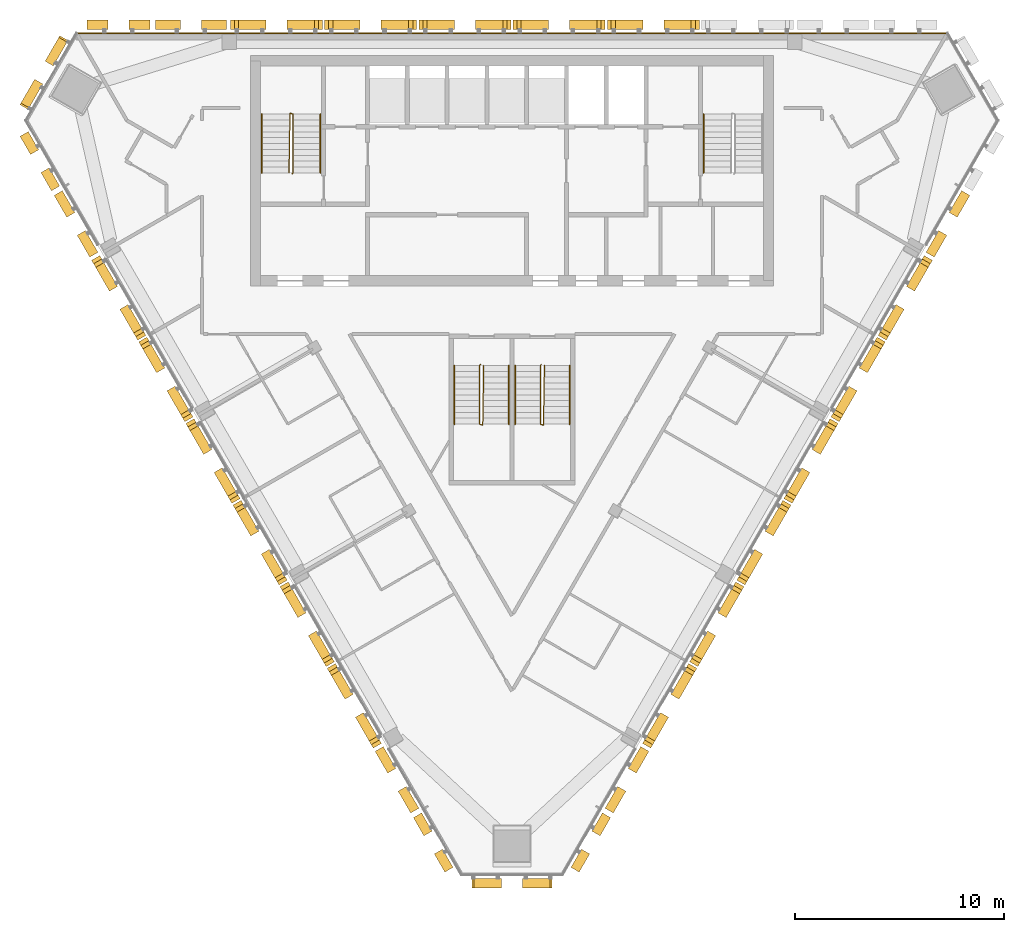
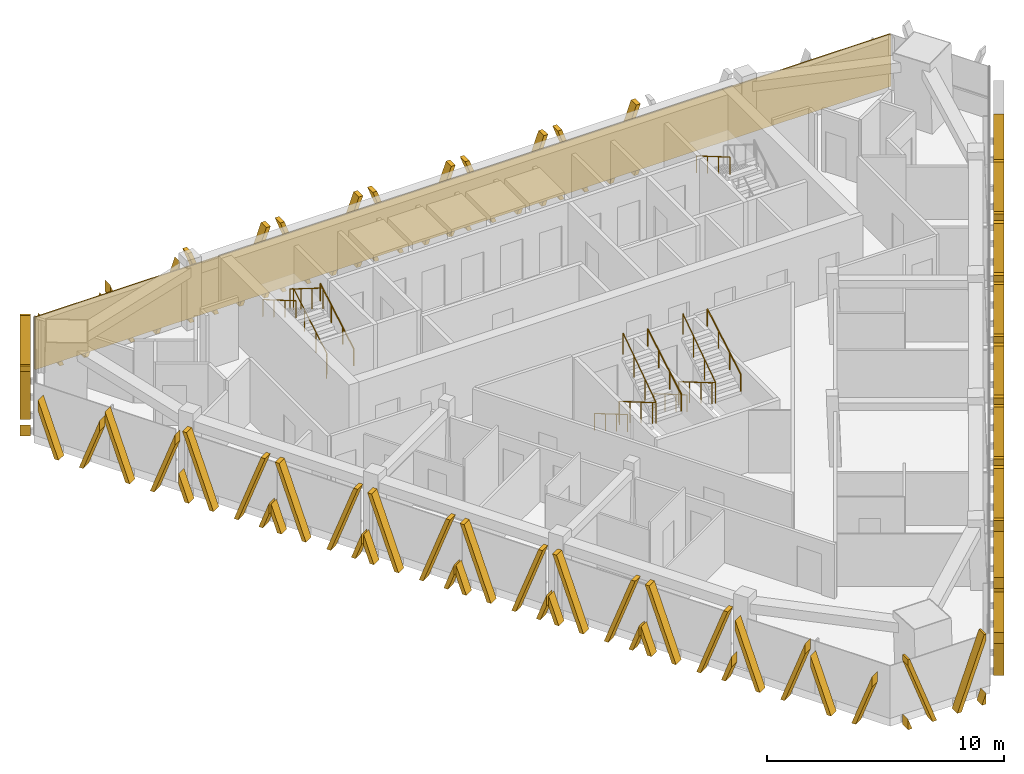
# One storey, part 12 of 14: 28 shading devices, 10 railings, 1 covering.
"""IFC4 building model written with IfcOpenShell, lengths in metres."""

from ifc_helpers import new_model, si_unit, direction, frame, frame_2d, origin, origin_2d, place, context, subcontext, project, spatial, polyline, rectangle, circle, outline, extrude, source, transform, mapped, material, layer, layer_set, type_object, element, save


model = new_model("IFC4")

# Units and contexts
model_context = context("Model", 3, precision=1e-05, world=origin(), true_north=direction((0.0, 1.0)))
body_context = subcontext(model_context, "Body", "Model", "MODEL_VIEW")
ifc_project = project(units=[si_unit("LENGTHUNIT", "METRE"), si_unit("AREAUNIT", "SQUARE_METRE"), si_unit("VOLUMEUNIT", "CUBIC_METRE"), si_unit("PLANEANGLEUNIT", "RADIAN"), si_unit("MASSUNIT", "GRAM", prefix="KILO")], contexts=[model_context])

# Site, building, storey
site_placement = place(None, origin())
site = spatial("IfcSite", under=ifc_project, at=site_placement, CompositionType="ELEMENT")
building_placement = place(site_placement, origin())
building = spatial("IfcBuilding", under=site, at=building_placement, Name="Altiplano Prism Tower", CompositionType="ELEMENT")
storey_placement = place(building_placement, frame((0.0, 0.0, 268.0)))
storey = spatial("IfcBuildingStorey", under=building, at=storey_placement, Name="L69", CompositionType="ELEMENT", Elevation=268.0)

# Railings
ifc_material_1 = material(Name="Steel S355", Category="steel")
railing_type_1 = type_object("IfcRailingType", Name="Stair guard 1100", PredefinedType="GUARDRAIL", material=ifc_material_1)
railing_1_placement = place(storey_placement, frame((74.5, 98.25, 0.0)))
element("IfcRailing", 1, at=railing_1_placement, inside=storey, type_object=railing_type_1, Name="L69 ST1 stair guard 1", PredefinedType="GUARDRAIL", context=body_context, shape_type="SweptSolid", body=[
    extrude(circle(Radius=0.02392578125, at=origin_2d()), frame((0.0, 0.0, 1.076171875), z_axis=(0.280808744504, 0.280808744504, 0.917765164963), x_axis=(-0.707106781187, 0.707106781187, 0.0)), (0.0, 0.0, 1.0), 0.17822265625),
    extrude(circle(Radius=0.02392578125, at=origin_2d()), frame((0.050048828125, 0.050048828125, 1.23974609375), z_axis=(0.0, 0.863360870873, 0.504586966384), x_axis=(-1.0, 0.0, 0.0)), (0.0, 0.0, 1.0), 3.2431640625),
    extrude(circle(Radius=0.02392578125, at=origin_2d()), frame((0.050048828125, 2.85009765625, 2.8759765625), z_axis=(-0.949145278916, 0.314838433982, 0.0), x_axis=(-0.314838433982, -0.949145278916, 0.0)), (0.0, 0.0, 1.0), 0.158203125),
    extrude(circle(Radius=0.02392578125, at=origin_2d()), frame((-0.10009765625, 2.89990234375, 2.8759765625), z_axis=(-0.01477401265, -0.845377694409, 0.533964682676), x_axis=(0.999847325713, -0.01747355902, 0.0)), (0.0, 0.0, 1.0), 3.37109375),
    extrude(circle(Radius=0.02099609375, at=origin_2d()), origin(), (0.0, 0.0, 1.0), 1.052001953125),
    extrude(circle(Radius=0.02099609375, at=origin_2d()), frame((0.050048828125, 0.050048828125, 0.16357421875)), (0.0, 0.0, 1.0), 1.052001953125),
    extrude(circle(Radius=0.02099609375, at=origin_2d()), frame((0.050048828125, 0.9833984375, 0.708984375)), (0.0, 0.0, 1.0), 1.052001953125),
    extrude(circle(Radius=0.02099609375, at=origin_2d()), frame((0.050048828125, 1.916748046875, 1.254638671875)), (0.0, 0.0, 1.0), 1.052001953125),
    extrude(circle(Radius=0.02099609375, at=origin_2d()), frame((0.050048828125, 2.85009765625, 1.800048828125)), (0.0, 0.0, 1.0), 1.052001953125),
    extrude(circle(Radius=0.02099609375, at=origin_2d()), frame((-0.10009765625, 2.89990234375, 1.800048828125)), (0.0, 0.0, 1.0), 1.052001953125),
    extrude(circle(Radius=0.02099609375, at=origin_2d()), frame((-0.11669921875, 1.949951171875, 2.400146484375)), (0.0, 0.0, 1.0), 1.052001953125),
    extrude(circle(Radius=0.02099609375, at=origin_2d()), frame((-0.13330078125, 1.0, 3.0)), (0.0, 0.0, 1.0), 1.052001953125),
    extrude(circle(Radius=0.02099609375, at=origin_2d()), frame((-0.14990234375, 0.050048828125, 3.60009765625)), (0.0, 0.0, 1.0), 1.052001953125),
])
railing_2_placement = place(storey_placement, frame((83.5, 89.14990234375, 0.0)))
element("IfcRailing", 2, at=railing_2_placement, inside=storey, type_object=railing_type_1, Name="L69 ST3A stair guard 1", PredefinedType="GUARDRAIL", context=body_context, shape_type="SweptSolid", body=[
    extrude(circle(Radius=0.02392578125, at=origin_2d()), frame((0.0, 0.0, 1.076171875), z_axis=(-0.280916556609, -0.279546231943, 0.91811752648), x_axis=(0.705375805398, -0.708833529934, 0.0)), (0.0, 0.0, 1.0), 0.17822265625),
    extrude(circle(Radius=0.02392578125, at=origin_2d()), frame((-0.050048828125, -0.0498046875, 1.23974609375), z_axis=(0.0, -0.863360870873, 0.504586966384), x_axis=(1.0, 0.0, 0.0)), (0.0, 0.0, 1.0), 3.2431640625),
    extrude(circle(Radius=0.02392578125, at=origin_2d()), frame((-0.050048828125, -2.849853515625, 2.8759765625), z_axis=(0.948683298051, -0.316227766017, 0.0), x_axis=(0.316227766017, 0.948683298051, 0.0)), (0.0, 0.0, 1.0), 0.158203125),
    extrude(circle(Radius=0.02392578125, at=origin_2d()), frame((0.10009765625, -2.89990234375, 2.8759765625), z_axis=(0.014773108175, 0.84539835705, 0.533931993021), x_axis=(-0.999847351862, 0.017472062685, 0.0)), (0.0, 0.0, 1.0), 3.371337890625),
    extrude(circle(Radius=0.02099609375, at=origin_2d()), origin(), (0.0, 0.0, 1.0), 1.052001953125),
    extrude(circle(Radius=0.02099609375, at=origin_2d()), frame((-0.050048828125, -0.0498046875, 0.16357421875)), (0.0, 0.0, 1.0), 1.052001953125),
    extrude(circle(Radius=0.02099609375, at=origin_2d()), frame((-0.050048828125, -0.983154296875, 0.708984375)), (0.0, 0.0, 1.0), 1.052001953125),
    extrude(circle(Radius=0.02099609375, at=origin_2d()), frame((-0.050048828125, -1.91650390625, 1.254638671875)), (0.0, 0.0, 1.0), 1.052001953125),
    extrude(circle(Radius=0.02099609375, at=origin_2d()), frame((-0.050048828125, -2.849853515625, 1.800048828125)), (0.0, 0.0, 1.0), 1.052001953125),
    extrude(circle(Radius=0.02099609375, at=origin_2d()), frame((0.10009765625, -2.89990234375, 1.800048828125)), (0.0, 0.0, 1.0), 1.052001953125),
    extrude(circle(Radius=0.02099609375, at=origin_2d()), frame((0.11669921875, -1.949951171875, 2.400146484375)), (0.0, 0.0, 1.0), 1.052001953125),
    extrude(circle(Radius=0.02099609375, at=origin_2d()), frame((0.13330078125, -0.999755859375, 3.0)), (0.0, 0.0, 1.0), 1.052001953125),
    extrude(circle(Radius=0.02099609375, at=origin_2d()), frame((0.14990234375, -0.0498046875, 3.60009765625)), (0.0, 0.0, 1.0), 1.052001953125),
])
railing_3_placement = place(storey_placement, frame((86.39990234375, 89.14990234375, 0.0)))
element("IfcRailing", 3, at=railing_3_placement, inside=storey, type_object=railing_type_1, Name="L69 ST3B stair guard 1", PredefinedType="GUARDRAIL", context=body_context, shape_type="SweptSolid", body=[
    extrude(circle(Radius=0.02392578125, at=origin_2d()), frame((0.0, 0.0, 1.076171875), z_axis=(-0.279653641804, -0.279653641804, 0.918470294159), x_axis=(0.707106781187, -0.707106781187, 0.0)), (0.0, 0.0, 1.0), 0.177978515625),
    extrude(circle(Radius=0.02392578125, at=origin_2d()), frame((-0.0498046875, -0.0498046875, 1.23974609375), z_axis=(0.0, -0.863360870873, 0.504586966384), x_axis=(1.0, 0.0, 0.0)), (0.0, 0.0, 1.0), 3.2431640625),
    extrude(circle(Radius=0.02392578125, at=origin_2d()), frame((-0.0498046875, -2.849853515625, 2.8759765625), z_axis=(0.948528701346, -0.316691178788, 0.0), x_axis=(0.316691178788, 0.948528701346, 0.0)), (0.0, 0.0, 1.0), 0.157958984375),
    extrude(circle(Radius=0.02392578125, at=origin_2d()), frame((0.10009765625, -2.89990234375, 2.8759765625), z_axis=(0.014845509451, 0.845397450405, 0.533931420407), x_axis=(-0.999845851991, 0.017557683712, 0.0)), (0.0, 0.0, 1.0), 3.371337890625),
    extrude(circle(Radius=0.02099609375, at=origin_2d()), origin(), (0.0, 0.0, 1.0), 1.052001953125),
    extrude(circle(Radius=0.02099609375, at=origin_2d()), frame((-0.0498046875, -0.0498046875, 0.16357421875)), (0.0, 0.0, 1.0), 1.052001953125),
    extrude(circle(Radius=0.02099609375, at=origin_2d()), frame((-0.0498046875, -0.983154296875, 0.708984375)), (0.0, 0.0, 1.0), 1.052001953125),
    extrude(circle(Radius=0.02099609375, at=origin_2d()), frame((-0.0498046875, -1.91650390625, 1.254638671875)), (0.0, 0.0, 1.0), 1.052001953125),
    extrude(circle(Radius=0.02099609375, at=origin_2d()), frame((-0.0498046875, -2.849853515625, 1.800048828125)), (0.0, 0.0, 1.0), 1.052001953125),
    extrude(circle(Radius=0.02099609375, at=origin_2d()), frame((0.10009765625, -2.89990234375, 1.800048828125)), (0.0, 0.0, 1.0), 1.052001953125),
    extrude(circle(Radius=0.02099609375, at=origin_2d()), frame((0.11669921875, -1.949951171875, 2.400146484375)), (0.0, 0.0, 1.0), 1.052001953125),
    extrude(circle(Radius=0.02099609375, at=origin_2d()), frame((0.133544921875, -0.999755859375, 3.0)), (0.0, 0.0, 1.0), 1.052001953125),
    extrude(circle(Radius=0.02099609375, at=origin_2d()), frame((0.150146484375, -0.0498046875, 3.60009765625)), (0.0, 0.0, 1.0), 1.052001953125),
])
railing_type_2 = type_object("IfcRailingType", Name="Stair handrail 900", PredefinedType="HANDRAIL", material=ifc_material_1)
railing_4_placement = place(storey_placement, frame((75.85009765625, 98.300048828125, 0.16357421875)))
element("IfcRailing", 4, at=railing_4_placement, inside=storey, type_object=railing_type_2, Name="L69 ST1 stair handrail 1", PredefinedType="HANDRAIL", context=body_context, shape_type="SweptSolid", body=[
    extrude(circle(Radius=0.02392578125, at=origin_2d()), frame((0.0, 0.0, 0.8759765625), z_axis=(0.0, 0.863360870873, 0.504586966384), x_axis=(-1.0, 0.0, 0.0)), (0.0, 0.0, 1.0), 3.2431640625),
    extrude(circle(Radius=0.02099609375, at=origin_2d()), origin(), (0.0, 0.0, 1.0), 0.851806640625),
    extrude(circle(Radius=0.02099609375, at=origin_2d()), frame((0.0, 0.933349609375, 0.54541015625)), (0.0, 0.0, 1.0), 0.851806640625),
    extrude(circle(Radius=0.02099609375, at=origin_2d()), frame((0.0, 1.86669921875, 1.091064453125)), (0.0, 0.0, 1.0), 0.851806640625),
    extrude(circle(Radius=0.02099609375, at=origin_2d()), frame((0.0, 2.800048828125, 1.636474609375)), (0.0, 0.0, 1.0), 0.851806640625),
])
for number, where, name in (
    (5, (73.050048828125, 101.10009765625, 1.963623046875), "L69 ST1 stair handrail 2"),
    (6, (94.14990234375, 101.10009765625, 1.963623046875), "L69 ST2 stair handrail 2"),
    (7, (82.25, 89.10009765625, 0.16357421875), "L69 ST3A stair handrail 1"),
):
    element("IfcRailing", number, at=place(storey_placement, frame(where)), inside=storey, type_object=railing_type_2, Name=name, PredefinedType="HANDRAIL", context=body_context, shape_type="SweptSolid", body=[
        extrude(circle(Radius=0.02392578125, at=origin_2d()), frame((0.0, 0.0, 0.8759765625), z_axis=(0.0, -0.863360870873, 0.504586966384), x_axis=(1.0, 0.0, 0.0)), (0.0, 0.0, 1.0), 3.2431640625),
        extrude(circle(Radius=0.02099609375, at=origin_2d()), origin(), (0.0, 0.0, 1.0), 0.851806640625),
        extrude(circle(Radius=0.02099609375, at=origin_2d()), frame((0.0, -0.933349609375, 0.54541015625)), (0.0, 0.0, 1.0), 0.851806640625),
        extrude(circle(Radius=0.02099609375, at=origin_2d()), frame((0.0, -1.86669921875, 1.091064453125)), (0.0, 0.0, 1.0), 0.851806640625),
        extrude(circle(Radius=0.02099609375, at=origin_2d()), frame((0.0, -2.800048828125, 1.636474609375)), (0.0, 0.0, 1.0), 0.851806640625),
    ])
railing_5_placement = place(storey_placement, frame((84.85009765625, 86.300048828125, 1.963623046875)))
element("IfcRailing", 8, at=railing_5_placement, inside=storey, type_object=railing_type_2, Name="L69 ST3A stair handrail 2", PredefinedType="HANDRAIL", context=body_context, shape_type="SweptSolid", body=[
    extrude(circle(Radius=0.02392578125, at=origin_2d()), frame((0.0, 0.0, 0.8759765625), z_axis=(0.0, 0.863360870873, 0.504586966384), x_axis=(-1.0, 0.0, 0.0)), (0.0, 0.0, 1.0), 3.2431640625),
    extrude(circle(Radius=0.02099609375, at=origin_2d()), origin(), (0.0, 0.0, 1.0), 0.851806640625),
    extrude(circle(Radius=0.02099609375, at=origin_2d()), frame((0.0, 0.933349609375, 0.54541015625)), (0.0, 0.0, 1.0), 0.851806640625),
    extrude(circle(Radius=0.02099609375, at=origin_2d()), frame((0.0, 1.86669921875, 1.091064453125)), (0.0, 0.0, 1.0), 0.851806640625),
    extrude(circle(Radius=0.02099609375, at=origin_2d()), frame((0.0, 2.800048828125, 1.636474609375)), (0.0, 0.0, 1.0), 0.851806640625),
])
railing_6_placement = place(storey_placement, frame((85.14990234375, 89.10009765625, 0.16357421875)))
element("IfcRailing", 9, at=railing_6_placement, inside=storey, type_object=railing_type_2, Name="L69 ST3B stair handrail 1", PredefinedType="HANDRAIL", context=body_context, shape_type="SweptSolid", body=[
    extrude(circle(Radius=0.02392578125, at=origin_2d()), frame((0.0, 0.0, 0.8759765625), z_axis=(0.0, -0.863360870873, 0.504586966384), x_axis=(1.0, 0.0, 0.0)), (0.0, 0.0, 1.0), 3.2431640625),
    extrude(circle(Radius=0.02099609375, at=origin_2d()), origin(), (0.0, 0.0, 1.0), 0.851806640625),
    extrude(circle(Radius=0.02099609375, at=origin_2d()), frame((0.0, -0.933349609375, 0.54541015625)), (0.0, 0.0, 1.0), 0.851806640625),
    extrude(circle(Radius=0.02099609375, at=origin_2d()), frame((0.0, -1.86669921875, 1.091064453125)), (0.0, 0.0, 1.0), 0.851806640625),
    extrude(circle(Radius=0.02099609375, at=origin_2d()), frame((0.0, -2.800048828125, 1.636474609375)), (0.0, 0.0, 1.0), 0.851806640625),
])
railing_7_placement = place(storey_placement, frame((87.75, 86.300048828125, 1.963623046875)))
element("IfcRailing", 10, at=railing_7_placement, inside=storey, type_object=railing_type_2, Name="L69 ST3B stair handrail 2", PredefinedType="HANDRAIL", context=body_context, shape_type="SweptSolid", body=[
    extrude(circle(Radius=0.02392578125, at=origin_2d()), frame((0.0, 0.0, 0.8759765625), z_axis=(0.0, 0.863360870873, 0.504586966384), x_axis=(-1.0, 0.0, 0.0)), (0.0, 0.0, 1.0), 3.2431640625),
    extrude(circle(Radius=0.02099609375, at=origin_2d()), origin(), (0.0, 0.0, 1.0), 0.851806640625),
    extrude(circle(Radius=0.02099609375, at=origin_2d()), frame((0.0, 0.933349609375, 0.54541015625)), (0.0, 0.0, 1.0), 0.851806640625),
    extrude(circle(Radius=0.02099609375, at=origin_2d()), frame((0.0, 1.86669921875, 1.091064453125)), (0.0, 0.0, 1.0), 0.851806640625),
    extrude(circle(Radius=0.02099609375, at=origin_2d()), frame((0.0, 2.800048828125, 1.636474609375)), (0.0, 0.0, 1.0), 0.851806640625),
])

# Covering
ifc_material_2 = material(Name="Warm limestone cast stone", Category="masonry")
ifc_layer = layer(ifc_material_2, 0.06005859375)
ifc_layer_set = layer_set([ifc_layer], Name="Warm limestone cast stone")
covering_type = type_object("IfcCoveringType", Name="Stone cladding 60", PredefinedType="CLADDING", material=ifc_layer_set)
covering_placement = place(storey_placement, frame((64.183837890625, 104.969970703125, 0.0), z_axis=(0.0, 0.0, 1.0), x_axis=(1.0, 0.0, 0.0)))
element("IfcCovering", 11, at=covering_placement, inside=storey, type_object=covering_type, Name="Stone cladding north face L69", PredefinedType="CLADDING", context=body_context, shape_type="SweptSolid", body=[
    extrude(rectangle(XDim=41.63232421875, YDim=0.06005859375, at=frame_2d((20.816162109375, 0.0))), origin(), (0.0, 0.0, 1.0), 2.699951171875),
])

# Shading devices
shading_device_type_1 = type_object("IfcShadingDeviceType", Name="Stone fin panel, standard unit", PredefinedType="USERDEFINED", material=ifc_material_2)
shared_shape_1 = source(origin(), body_context, "Body", "SweptSolid", [
    extrude(outline(polyline([(-2.199951171875, 1.373779296875), (-2.199951171875, 0.82421875), (-1.89990234375, 0.0), (-1.699951171875, 0.0), (-2.199951171875, 1.373779296875)])), frame((0.0, -0.14990234375, 0.0), z_axis=(0.0, -1.0, 0.0), x_axis=(1.0, 0.0, 0.0)), (0.0, 0.0, 1.0), 0.4501953125),
    extrude(outline(polyline([(-2.01025390625, 3.60009765625), (-0.699951171875, 0.0), (-0.5, 0.0), (-1.810302734375, 3.60009765625), (-2.01025390625, 3.60009765625)])), frame((0.0, -0.14990234375, 0.0), z_axis=(0.0, -1.0, 0.0), x_axis=(1.0, 0.0, 0.0)), (0.0, 0.0, 1.0), 0.4501953125),
    extrude(outline(polyline([(1.810302734375, 3.60009765625), (0.5, 0.0), (0.699951171875, 0.0), (2.01025390625, 3.60009765625), (1.810302734375, 3.60009765625)])), frame((0.0, -0.14990234375, 0.0), z_axis=(0.0, -1.0, 0.0), x_axis=(1.0, 0.0, 0.0)), (0.0, 0.0, 1.0), 0.4501953125),
    extrude(outline(polyline([(2.199951171875, 0.82421875), (2.199951171875, 1.373779296875), (1.699951171875, 0.0), (1.89990234375, 0.0), (2.199951171875, 0.82421875)])), frame((0.0, -0.14990234375, 0.0), z_axis=(0.0, -1.0, 0.0), x_axis=(1.0, 0.0, 0.0)), (0.0, 0.0, 1.0), 0.4501953125),
])
shading_device_1_placement = place(storey_placement, origin())
element("IfcShadingDevice", 12, at=shading_device_1_placement, inside=storey, type_object=shading_device_type_1, Name="Fin L69 north face 4", ObjectType="FIN", PredefinedType="USERDEFINED", context=body_context, shape_type="MappedRepresentation", body=[
    mapped(shared_shape_1, transform((91.75, 105.0, -0.39990234375), x_axis=(-1.0, 0.0, 0.0), y_axis=(0.0, -1.0, 0.0), z_axis=(0.0, 0.0, 1.0))),
])
shading_device_2_placement = place(storey_placement, origin())
element("IfcShadingDevice", 13, at=shading_device_2_placement, inside=storey, type_object=shading_device_type_1, Name="Fin L69 north face 5", ObjectType="FIN", PredefinedType="USERDEFINED", context=body_context, shape_type="MappedRepresentation", body=[
    mapped(shared_shape_1, transform((87.25, 105.0, -0.39990234375), x_axis=(-1.0, 0.0, 0.0), y_axis=(0.0, -1.0, 0.0), z_axis=(0.0, 0.0, 1.0))),
])
shading_device_3_placement = place(storey_placement, origin())
element("IfcShadingDevice", 14, at=shading_device_3_placement, inside=storey, type_object=shading_device_type_1, Name="Fin L69 north face 6", ObjectType="FIN", PredefinedType="USERDEFINED", context=body_context, shape_type="MappedRepresentation", body=[
    mapped(shared_shape_1, transform((82.75, 105.0, -0.39990234375), x_axis=(-1.0, 0.0, 0.0), y_axis=(0.0, -1.0, 0.0), z_axis=(0.0, 0.0, 1.0))),
])
shading_device_4_placement = place(storey_placement, origin())
element("IfcShadingDevice", 15, at=shading_device_4_placement, inside=storey, type_object=shading_device_type_1, Name="Fin L69 north face 7", ObjectType="FIN", PredefinedType="USERDEFINED", context=body_context, shape_type="MappedRepresentation", body=[
    mapped(shared_shape_1, transform((78.25, 105.0, -0.39990234375), x_axis=(-1.0, 0.0, 0.0), y_axis=(0.0, -1.0, 0.0), z_axis=(0.0, 0.0, 1.0))),
])
shading_device_5_placement = place(storey_placement, origin())
element("IfcShadingDevice", 16, at=shading_device_5_placement, inside=storey, type_object=shading_device_type_1, Name="Fin L69 north face 8", ObjectType="FIN", PredefinedType="USERDEFINED", context=body_context, shape_type="MappedRepresentation", body=[
    mapped(shared_shape_1, transform((73.75, 105.0, -0.39990234375), x_axis=(-1.0, 0.0, 0.0), y_axis=(0.0, -1.0, 0.0), z_axis=(0.0, 0.0, 1.0))),
])
shading_device_6_placement = place(storey_placement, origin())
element("IfcShadingDevice", 17, at=shading_device_6_placement, inside=storey, type_object=shading_device_type_1, Name="Fin L69 south-west face 3", ObjectType="FIN", PredefinedType="USERDEFINED", context=body_context, shape_type="MappedRepresentation", body=[
    mapped(shared_shape_1, transform((66.543212890625, 92.517578125, -0.39990234375), x_axis=(0.499999992175, -0.866025408302, 0.0), y_axis=(0.866025408302, 0.499999992175, 0.0), z_axis=(0.0, 0.0, 1.0))),
])
shading_device_7_placement = place(storey_placement, origin())
element("IfcShadingDevice", 18, at=shading_device_7_placement, inside=storey, type_object=shading_device_type_1, Name="Fin L69 south-west face 4", ObjectType="FIN", PredefinedType="USERDEFINED", context=body_context, shape_type="MappedRepresentation", body=[
    mapped(shared_shape_1, transform((68.793212890625, 88.62060546875, -0.39990234375), x_axis=(0.499999992175, -0.866025408302, 0.0), y_axis=(0.866025408302, 0.499999992175, 0.0), z_axis=(0.0, 0.0, 1.0))),
])
shading_device_8_placement = place(storey_placement, origin())
element("IfcShadingDevice", 19, at=shading_device_8_placement, inside=storey, type_object=shading_device_type_1, Name="Fin L69 south-west face 5", ObjectType="FIN", PredefinedType="USERDEFINED", context=body_context, shape_type="MappedRepresentation", body=[
    mapped(shared_shape_1, transform((71.043212890625, 84.723388671875, -0.39990234375), x_axis=(0.499999992175, -0.866025408302, 0.0), y_axis=(0.866025408302, 0.499999992175, 0.0), z_axis=(0.0, 0.0, 1.0))),
])
shading_device_9_placement = place(storey_placement, origin())
element("IfcShadingDevice", 20, at=shading_device_9_placement, inside=storey, type_object=shading_device_type_1, Name="Fin L69 south-west face 6", ObjectType="FIN", PredefinedType="USERDEFINED", context=body_context, shape_type="MappedRepresentation", body=[
    mapped(shared_shape_1, transform((73.293212890625, 80.826416015625, -0.39990234375), x_axis=(0.499999992175, -0.866025408302, 0.0), y_axis=(0.866025408302, 0.499999992175, 0.0), z_axis=(0.0, 0.0, 1.0))),
])
shading_device_10_placement = place(storey_placement, origin())
element("IfcShadingDevice", 21, at=shading_device_10_placement, inside=storey, type_object=shading_device_type_1, Name="Fin L69 south-west face 7", ObjectType="FIN", PredefinedType="USERDEFINED", context=body_context, shape_type="MappedRepresentation", body=[
    mapped(shared_shape_1, transform((75.543212890625, 76.92919921875, -0.39990234375), x_axis=(0.499999992175, -0.866025408302, 0.0), y_axis=(0.866025408302, 0.499999992175, 0.0), z_axis=(0.0, 0.0, 1.0))),
])
shading_device_11_placement = place(storey_placement, origin())
element("IfcShadingDevice", 22, at=shading_device_11_placement, inside=storey, type_object=shading_device_type_1, Name="Fin L69 south-west face 8", ObjectType="FIN", PredefinedType="USERDEFINED", context=body_context, shape_type="MappedRepresentation", body=[
    mapped(shared_shape_1, transform((77.793212890625, 73.0322265625, -0.39990234375), x_axis=(0.499999992175, -0.866025408302, 0.0), y_axis=(0.866025408302, 0.499999992175, 0.0), z_axis=(0.0, 0.0, 1.0))),
])
shading_device_12_placement = place(storey_placement, origin())
element("IfcShadingDevice", 23, at=shading_device_12_placement, inside=storey, type_object=shading_device_type_1, Name="Fin L69 south-east face 3", ObjectType="FIN", PredefinedType="USERDEFINED", context=body_context, shape_type="MappedRepresentation", body=[
    mapped(shared_shape_1, transform((92.206787109375, 73.0322265625, -0.39990234375), x_axis=(0.499999992175, 0.866025408302, 0.0), y_axis=(-0.866025408302, 0.499999992175, 0.0), z_axis=(0.0, 0.0, 1.0))),
])
shading_device_13_placement = place(storey_placement, origin())
element("IfcShadingDevice", 24, at=shading_device_13_placement, inside=storey, type_object=shading_device_type_1, Name="Fin L69 south-east face 4", ObjectType="FIN", PredefinedType="USERDEFINED", context=body_context, shape_type="MappedRepresentation", body=[
    mapped(shared_shape_1, transform((94.456787109375, 76.92919921875, -0.39990234375), x_axis=(0.499999992175, 0.866025408302, 0.0), y_axis=(-0.866025408302, 0.499999992175, 0.0), z_axis=(0.0, 0.0, 1.0))),
])
shading_device_14_placement = place(storey_placement, origin())
element("IfcShadingDevice", 25, at=shading_device_14_placement, inside=storey, type_object=shading_device_type_1, Name="Fin L69 south-east face 5", ObjectType="FIN", PredefinedType="USERDEFINED", context=body_context, shape_type="MappedRepresentation", body=[
    mapped(shared_shape_1, transform((96.706787109375, 80.826416015625, -0.39990234375), x_axis=(0.499999992175, 0.866025408302, 0.0), y_axis=(-0.866025408302, 0.499999992175, 0.0), z_axis=(0.0, 0.0, 1.0))),
])
shading_device_15_placement = place(storey_placement, origin())
element("IfcShadingDevice", 26, at=shading_device_15_placement, inside=storey, type_object=shading_device_type_1, Name="Fin L69 south-east face 6", ObjectType="FIN", PredefinedType="USERDEFINED", context=body_context, shape_type="MappedRepresentation", body=[
    mapped(shared_shape_1, transform((98.956787109375, 84.723388671875, -0.39990234375), x_axis=(0.499999992175, 0.866025408302, 0.0), y_axis=(-0.866025408302, 0.499999992175, 0.0), z_axis=(0.0, 0.0, 1.0))),
])
shading_device_16_placement = place(storey_placement, origin())
element("IfcShadingDevice", 27, at=shading_device_16_placement, inside=storey, type_object=shading_device_type_1, Name="Fin L69 south-east face 7", ObjectType="FIN", PredefinedType="USERDEFINED", context=body_context, shape_type="MappedRepresentation", body=[
    mapped(shared_shape_1, transform((101.206787109375, 88.62060546875, -0.39990234375), x_axis=(0.499999992175, 0.866025408302, 0.0), y_axis=(-0.866025408302, 0.499999992175, 0.0), z_axis=(0.0, 0.0, 1.0))),
])
shading_device_17_placement = place(storey_placement, origin())
element("IfcShadingDevice", 28, at=shading_device_17_placement, inside=storey, type_object=shading_device_type_1, Name="Fin L69 south-east face 8", ObjectType="FIN", PredefinedType="USERDEFINED", context=body_context, shape_type="MappedRepresentation", body=[
    mapped(shared_shape_1, transform((103.456787109375, 92.517578125, -0.39990234375), x_axis=(0.499999992175, 0.866025408302, 0.0), y_axis=(-0.866025408302, 0.499999992175, 0.0), z_axis=(0.0, 0.0, 1.0))),
])
shading_device_type_2 = type_object("IfcShadingDeviceType", Name="Stone fin panel, narrow closing bay", PredefinedType="USERDEFINED", material=ifc_material_2)
shared_shape_2 = source(origin(), body_context, "Body", "SweptSolid", [
    extrude(outline(polyline([(-1.699951171875, 3.297119140625), (-1.699951171875, 2.74755859375), (-0.699951171875, 0.0), (-0.5, 0.0), (-1.699951171875, 3.297119140625)])), frame((0.0, -0.14990234375, 0.0), z_axis=(0.0, -1.0, 0.0), x_axis=(1.0, 0.0, 0.0)), (0.0, 0.0, 1.0), 0.4501953125),
    extrude(outline(polyline([(1.699951171875, 2.74755859375), (1.699951171875, 3.297119140625), (0.5, 0.0), (0.699951171875, 0.0), (1.699951171875, 2.74755859375)])), frame((0.0, -0.14990234375, 0.0), z_axis=(0.0, -1.0, 0.0), x_axis=(1.0, 0.0, 0.0)), (0.0, 0.0, 1.0), 0.4501953125),
])
shading_device_18_placement = place(storey_placement, origin())
element("IfcShadingDevice", 29, at=shading_device_18_placement, inside=storey, type_object=shading_device_type_2, Name="Fin L69 north face 9", ObjectType="FIN", PredefinedType="USERDEFINED", context=body_context, shape_type="MappedRepresentation", body=[
    mapped(shared_shape_2, transform((69.6708984375, 105.0, -0.39990234375), x_axis=(-1.0, 0.0, 0.0), y_axis=(0.0, -1.0, 0.0), z_axis=(0.0, 0.0, 1.0))),
])
shading_device_19_placement = place(storey_placement, origin())
element("IfcShadingDevice", 30, at=shading_device_19_placement, inside=storey, type_object=shading_device_type_2, Name="Fin L69 south-west face 2", ObjectType="FIN", PredefinedType="USERDEFINED", context=body_context, shape_type="MappedRepresentation", body=[
    mapped(shared_shape_2, transform((64.50390625, 96.05029296875, -0.39990234375), x_axis=(0.499999992175, -0.866025408302, 0.0), y_axis=(0.866025408302, 0.499999992175, 0.0), z_axis=(0.0, 0.0, 1.0))),
])
shading_device_20_placement = place(storey_placement, origin())
element("IfcShadingDevice", 31, at=shading_device_20_placement, inside=storey, type_object=shading_device_type_2, Name="Fin L69 south-west face 9", ObjectType="FIN", PredefinedType="USERDEFINED", context=body_context, shape_type="MappedRepresentation", body=[
    mapped(shared_shape_2, transform((79.832763671875, 69.49951171875, -0.39990234375), x_axis=(0.499999992175, -0.866025408302, 0.0), y_axis=(0.866025408302, 0.499999992175, 0.0), z_axis=(0.0, 0.0, 1.0))),
])
shading_device_21_placement = place(storey_placement, origin())
element("IfcShadingDevice", 32, at=shading_device_21_placement, inside=storey, type_object=shading_device_type_2, Name="Fin L69 south-east face 2", ObjectType="FIN", PredefinedType="USERDEFINED", context=body_context, shape_type="MappedRepresentation", body=[
    mapped(shared_shape_2, transform((90.167236328125, 69.49951171875, -0.39990234375), x_axis=(0.499999992175, 0.866025408302, 0.0), y_axis=(-0.866025408302, 0.499999992175, 0.0), z_axis=(0.0, 0.0, 1.0))),
])
shading_device_22_placement = place(storey_placement, origin())
element("IfcShadingDevice", 33, at=shading_device_22_placement, inside=storey, type_object=shading_device_type_2, Name="Fin L69 south-east face 9", ObjectType="FIN", PredefinedType="USERDEFINED", context=body_context, shape_type="MappedRepresentation", body=[
    mapped(shared_shape_2, transform((105.49609375, 96.05029296875, -0.39990234375), x_axis=(0.499999992175, 0.866025408302, 0.0), y_axis=(-0.866025408302, 0.499999992175, 0.0), z_axis=(0.0, 0.0, 1.0))),
])
shading_device_type_3 = type_object("IfcShadingDeviceType", Name="Stone fin panel, chamfer unit", PredefinedType="USERDEFINED", material=ifc_material_2)
shared_shape_3 = source(origin(), body_context, "Body", "SweptSolid", [
    extrude(outline(polyline([(-1.89990234375, 3.60009765625), (-1.89990234375, 3.297119140625), (-0.699951171875, 0.0), (-0.5, 0.0), (-1.810302734375, 3.60009765625), (-1.89990234375, 3.60009765625)])), frame((0.0, -0.14990234375, 0.0), z_axis=(0.0, -1.0, 0.0), x_axis=(1.0, 0.0, 0.0)), (0.0, 0.0, 1.0), 0.4501953125),
    extrude(outline(polyline([(-1.89990234375, 0.549560546875), (-1.89990234375, 0.0), (-1.699951171875, 0.0), (-1.89990234375, 0.549560546875)])), frame((0.0, -0.14990234375, 0.0), z_axis=(0.0, -1.0, 0.0), x_axis=(1.0, 0.0, 0.0)), (0.0, 0.0, 1.0), 0.4501953125),
    extrude(outline(polyline([(1.810302734375, 3.60009765625), (0.5, 0.0), (0.699951171875, 0.0), (1.89990234375, 3.297119140625), (1.89990234375, 3.60009765625), (1.810302734375, 3.60009765625)])), frame((0.0, -0.14990234375, 0.0), z_axis=(0.0, -1.0, 0.0), x_axis=(1.0, 0.0, 0.0)), (0.0, 0.0, 1.0), 0.4501953125),
    extrude(outline(polyline([(1.89990234375, 0.0), (1.89990234375, 0.549560546875), (1.699951171875, 0.0), (1.89990234375, 0.0)])), frame((0.0, -0.14990234375, 0.0), z_axis=(0.0, -1.0, 0.0), x_axis=(1.0, 0.0, 0.0)), (0.0, 0.0, 1.0), 0.4501953125),
])
shading_device_23_placement = place(storey_placement, origin())
element("IfcShadingDevice", 34, at=shading_device_23_placement, inside=storey, type_object=shading_device_type_3, Name="Fin L69 north-west chamfer 1", ObjectType="FIN", PredefinedType="USERDEFINED", context=body_context, shape_type="MappedRepresentation", body=[
    mapped(shared_shape_3, transform((62.97216796875, 102.901123046875, -0.39990234375), x_axis=(-0.500000030951, -0.866025385915, 0.0), y_axis=(0.866025385915, -0.500000030951, 0.0), z_axis=(0.0, 0.0, 1.0))),
])
shading_device_24_placement = place(storey_placement, origin())
element("IfcShadingDevice", 35, at=shading_device_24_placement, inside=storey, type_object=shading_device_type_3, Name="Fin L69 south chamfer 1", ObjectType="FIN", PredefinedType="USERDEFINED", context=body_context, shape_type="MappedRepresentation", body=[
    mapped(shared_shape_3, transform((85.0, 64.74755859375, -0.39990234375), x_axis=(1.0, 0.0, 0.0), y_axis=(0.0, 1.0, 0.0), z_axis=(0.0, 0.0, 1.0))),
])
shared_shape_4 = source(origin(), body_context, "Body", "SweptSolid", [
    extrude(outline(polyline([(-1.5, 2.74755859375), (-1.5, 2.197998046875), (-0.699951171875, 0.0), (-0.5, 0.0), (-1.5, 2.74755859375)])), frame((0.0, -0.14990234375, 0.0), z_axis=(0.0, -1.0, 0.0), x_axis=(1.0, 0.0, 0.0)), (0.0, 0.0, 1.0), 0.4501953125),
    extrude(outline(polyline([(1.5, 2.197998046875), (1.5, 2.74755859375), (0.5, 0.0), (0.699951171875, 0.0), (1.5, 2.197998046875)])), frame((0.0, -0.14990234375, 0.0), z_axis=(0.0, -1.0, 0.0), x_axis=(1.0, 0.0, 0.0)), (0.0, 0.0, 1.0), 0.4501953125),
])
shading_device_25_placement = place(storey_placement, origin())
element("IfcShadingDevice", 36, at=shading_device_25_placement, inside=storey, type_object=shading_device_type_2, Name="Fin L69 north face 10", ObjectType="FIN", PredefinedType="USERDEFINED", context=body_context, shape_type="MappedRepresentation", body=[
    mapped(shared_shape_4, transform((66.212890625, 105.0, -0.39990234375), x_axis=(-1.0, 0.0, 0.0), y_axis=(0.0, -1.0, 0.0), z_axis=(0.0, 0.0, 1.0))),
])
shading_device_26_placement = place(storey_placement, origin())
element("IfcShadingDevice", 37, at=shading_device_26_placement, inside=storey, type_object=shading_device_type_2, Name="Fin L69 south-west face 1", ObjectType="FIN", PredefinedType="USERDEFINED", context=body_context, shape_type="MappedRepresentation", body=[
    mapped(shared_shape_4, transform((62.77490234375, 99.044921875, -0.39990234375), x_axis=(0.499999992175, -0.866025408302, 0.0), y_axis=(0.866025408302, 0.499999992175, 0.0), z_axis=(0.0, 0.0, 1.0))),
])
shading_device_27_placement = place(storey_placement, origin())
element("IfcShadingDevice", 38, at=shading_device_27_placement, inside=storey, type_object=shading_device_type_2, Name="Fin L69 south-west face 10", ObjectType="FIN", PredefinedType="USERDEFINED", context=body_context, shape_type="MappedRepresentation", body=[
    mapped(shared_shape_4, transform((81.561767578125, 66.5048828125, -0.39990234375), x_axis=(0.499999992175, -0.866025408302, 0.0), y_axis=(0.866025408302, 0.499999992175, 0.0), z_axis=(0.0, 0.0, 1.0))),
])
shading_device_28_placement = place(storey_placement, origin())
element("IfcShadingDevice", 39, at=shading_device_28_placement, inside=storey, type_object=shading_device_type_2, Name="Fin L69 south-east face 1", ObjectType="FIN", PredefinedType="USERDEFINED", context=body_context, shape_type="MappedRepresentation", body=[
    mapped(shared_shape_4, transform((88.438232421875, 66.5048828125, -0.39990234375), x_axis=(0.499999992175, 0.866025408302, 0.0), y_axis=(-0.866025408302, 0.499999992175, 0.0), z_axis=(0.0, 0.0, 1.0))),
])

save(model, "model.ifc")
